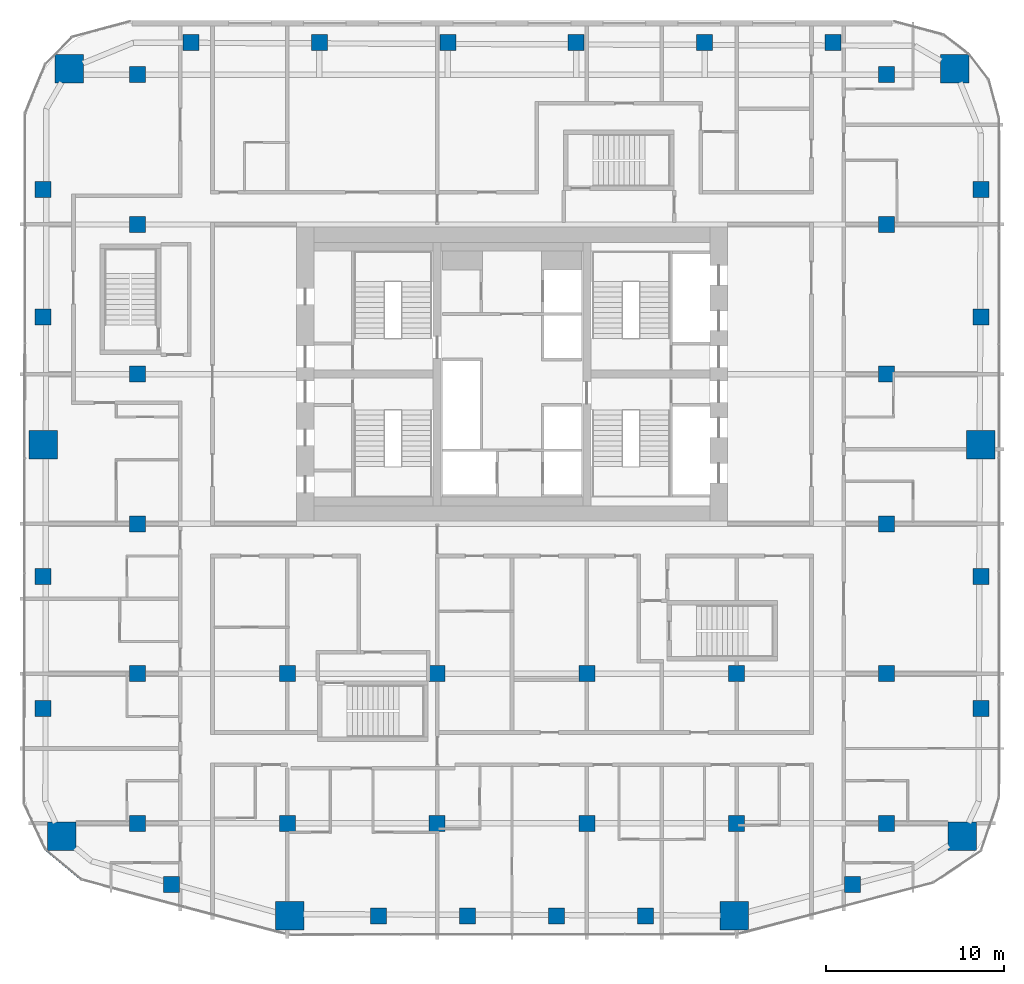
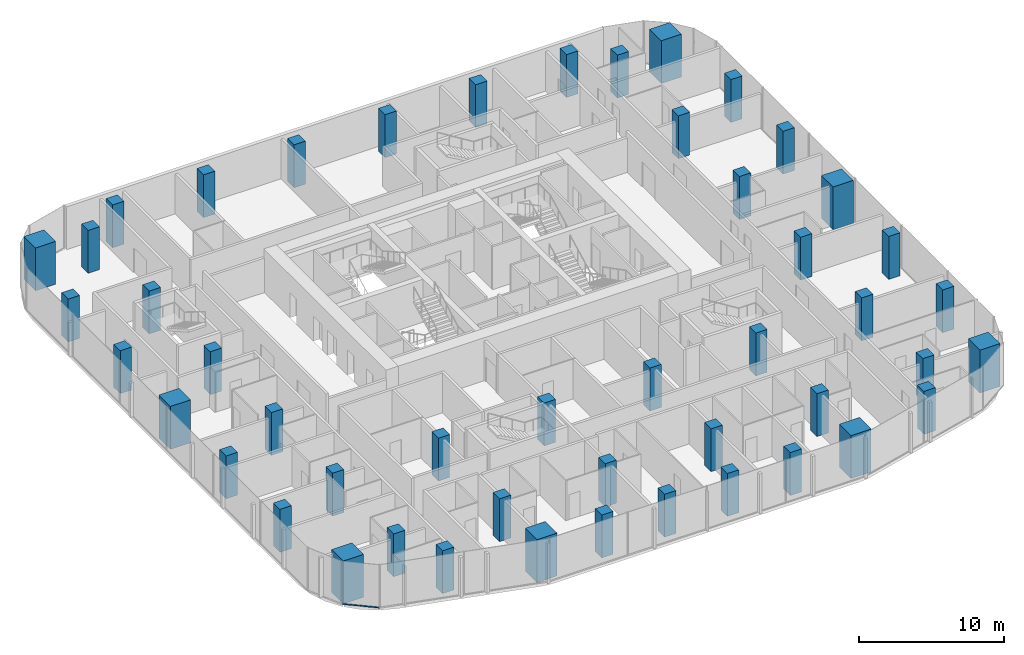
# One storey, part 1 of 23: 48 columns, 1 member, 1 element without a shape of its own.
"""IFC4 building model written with IfcOpenShell, lengths in metres."""

from ifc_helpers import new_model, si_unit, direction, frame, origin, origin_2d, place, context, subcontext, project, spatial, rectangle, extrude, material, layer, layer_set, material_profile, profile_set, type_object, element, aggregate, save


model = new_model("IFC4")

# Units and contexts
model_context = context("Model", 3, precision=1e-05, world=origin(), true_north=direction((0.0, 1.0)))
body_context = subcontext(model_context, "Body", "Model", "MODEL_VIEW")
ifc_project = project(units=[si_unit("LENGTHUNIT", "METRE"), si_unit("AREAUNIT", "SQUARE_METRE"), si_unit("VOLUMEUNIT", "CUBIC_METRE"), si_unit("PLANEANGLEUNIT", "RADIAN"), si_unit("MASSUNIT", "GRAM", prefix="KILO")], contexts=[model_context])

# Site, building, storey
site_placement = place(None, origin())
site = spatial("IfcSite", under=ifc_project, at=site_placement, CompositionType="ELEMENT")
building_placement = place(site_placement, origin())
building = spatial("IfcBuilding", under=site, at=building_placement, Name="Marenta Gate Hotel Tower", CompositionType="ELEMENT")
storey_placement = place(building_placement, frame((0.0, 0.0, 155.300048828125)))
storey = spatial("IfcBuildingStorey", under=building, at=storey_placement, Name="L36", CompositionType="ELEMENT", Elevation=155.300048828125)

# Columns
ifc_material_1 = material(Name="Concrete C70", Category="concrete")
ifc_material_profile_1 = material_profile(ifc_material_1, rectangle(XDim=0.89990234375, YDim=0.89990234375, at=origin_2d()), Name="900 x 900")
ifc_profile_set_1 = profile_set([ifc_material_profile_1], Name="Concrete C70")
column_type_1 = type_object("IfcColumnType", Name="Edge column 900 x 900 C70", PredefinedType="COLUMN", material=ifc_profile_set_1)
for number, where, z_axis, x_axis, name in (
    (1, (-26.300048828125, -10.351806640625, 0.0), (0.0, 0.0, 1.0), (1.0, 0.0, 0.0), "L36-EC-SW-W-1"),
    (2, (-26.300048828125, -2.950927734375, 0.0), (0.0, 0.0, 1.0), (1.0, 0.0, 0.0), "L36-EC-SW-W-2"),
    (3, (-26.300048828125, 11.603271484375, 0.0), (0.0, 0.0, 1.0), (1.0, 0.0, 0.0), "L36-EC-W-NW-1"),
    (4, (-26.300048828125, 18.75634765625, 0.0), (0.0, 0.0, 1.0), (1.0, 0.0, 0.0), "L36-EC-W-NW-2"),
    (5, (-18.0068359375, 27.0, 0.0), (0.0, 0.0, 1.0), (1.0, 0.0, 0.0), "L36-EC-NW-NE-1"),
    (6, (-10.80419921875, 27.0, 0.0), (0.0, 0.0, 1.0), (1.0, 0.0, 0.0), "L36-EC-NW-NE-2"),
    (7, (-3.601318359375, 27.0, 0.0), (0.0, 0.0, 1.0), (1.0, 0.0, 0.0), "L36-EC-NW-NE-3"),
    (8, (3.601318359375, 27.0, 0.0), (0.0, 0.0, 1.0), (1.0, 0.0, 0.0), "L36-EC-NW-NE-4"),
    (9, (10.80419921875, 27.0, 0.0), (0.0, 0.0, 1.0), (1.0, 0.0, 0.0), "L36-EC-NW-NE-5"),
    (10, (18.0068359375, 27.0, 0.0), (0.0, 0.0, 1.0), (1.0, 0.0, 0.0), "L36-EC-NW-NE-6"),
    (11, (26.300048828125, 18.75634765625, 0.0), (0.0, 0.0, 1.0), (1.0, 0.0, 0.0), "L36-EC-NE-E-1"),
    (12, (26.300048828125, 11.603271484375, 0.0), (0.0, 0.0, 1.0), (1.0, 0.0, 0.0), "L36-EC-NE-E-2"),
    (13, (26.300048828125, -2.950927734375, 0.0), (0.0, 0.0, 1.0), (1.0, 0.0, 0.0), "L36-EC-E-SE-1"),
    (14, (26.300048828125, -10.351806640625, 0.0), (0.0, 0.0, 1.0), (1.0, 0.0, 0.0), "L36-EC-E-SE-2"),
    (15, (19.106689453125, -20.239013671875, 0.0), (0.0, 0.0, 1.0), (1.0, 0.0, 0.0), "L36-EC-SE-SKE-1"),
    (16, (7.47998046875, -22.0, 0.0), (0.0, 0.0, 1.0), (1.0, 0.0, 0.0), "L36-EC-SKE-SKW-1"),
    (17, (2.493408203125, -22.0, 0.0), (0.0, 0.0, 1.0), (1.0, 0.0, 0.0), "L36-EC-SKE-SKW-2"),
    (18, (-2.493408203125, -22.0, 0.0), (0.0, 0.0, 1.0), (1.0, 0.0, 0.0), "L36-EC-SKE-SKW-3"),
    (19, (-7.47998046875, -22.0, 0.0), (0.0, 0.0, 1.0), (1.0, 0.0, 0.0), "L36-EC-SKE-SKW-4"),
    (20, (-19.106689453125, -20.239013671875, 0.0), (0.0, 0.0, 1.0), (1.0, 0.0, 0.0), "L36-EC-SKW-SW-1"),
):
    element("IfcColumn", number, at=place(storey_placement, frame(where, z_axis=z_axis, x_axis=x_axis)), inside=storey, type_object=column_type_1, Name=name, PredefinedType="COLUMN", context=body_context, shape_type="SweptSolid", body=[
        extrude(rectangle(XDim=0.89990234375, YDim=0.89990234375, at=origin_2d()), origin(), (0.0, 0.0, 1.0), 3.599853515625),
    ])
ifc_material_2 = material(Name="Concrete C70", Category="concrete")
ifc_material_profile_2 = material_profile(ifc_material_2, rectangle(XDim=0.89990234375, YDim=0.89990234375, at=origin_2d()), Name="900 x 900")
ifc_profile_set_2 = profile_set([ifc_material_profile_2], Name="Concrete C70")
column_type_2 = type_object("IfcColumnType", Name="Interior column 900 x 900 C70", PredefinedType="COLUMN", material=ifc_profile_set_2)
for number, where, z_axis, x_axis, name in (
    (21, (-21.0, -16.800048828125, 0.0), (0.0, 0.0, 1.0), (1.0, 0.0, 0.0), "L36-IC-4D"),
    (22, (-21.0, -8.39990234375, 0.0), (0.0, 0.0, 1.0), (1.0, 0.0, 0.0), "L36-IC-4E"),
    (23, (-21.0, 0.0, 0.0), (0.0, 0.0, 1.0), (1.0, 0.0, 0.0), "L36-IC-4F"),
    (24, (-21.0, 8.39990234375, 0.0), (0.0, 0.0, 1.0), (1.0, 0.0, 0.0), "L36-IC-4G"),
    (25, (-21.0, 16.800048828125, 0.0), (0.0, 0.0, 1.0), (1.0, 0.0, 0.0), "L36-IC-4H"),
    (26, (-21.0, 25.199951171875, 0.0), (0.0, 0.0, 1.0), (1.0, 0.0, 0.0), "L36-IC-4I"),
    (27, (-12.60009765625, -16.800048828125, 0.0), (0.0, 0.0, 1.0), (1.0, 0.0, 0.0), "L36-IC-5D"),
    (28, (-12.60009765625, -8.39990234375, 0.0), (0.0, 0.0, 1.0), (1.0, 0.0, 0.0), "L36-IC-5E"),
    (29, (-4.199951171875, -16.800048828125, 0.0), (0.0, 0.0, 1.0), (1.0, 0.0, 0.0), "L36-IC-6D"),
    (30, (-4.199951171875, -8.39990234375, 0.0), (0.0, 0.0, 1.0), (1.0, 0.0, 0.0), "L36-IC-6E"),
    (31, (4.199951171875, -16.800048828125, 0.0), (0.0, 0.0, 1.0), (1.0, 0.0, 0.0), "L36-IC-7D"),
    (32, (4.199951171875, -8.39990234375, 0.0), (0.0, 0.0, 1.0), (1.0, 0.0, 0.0), "L36-IC-7E"),
    (33, (12.60009765625, -16.800048828125, 0.0), (0.0, 0.0, 1.0), (1.0, 0.0, 0.0), "L36-IC-8D"),
    (34, (12.60009765625, -8.39990234375, 0.0), (0.0, 0.0, 1.0), (1.0, 0.0, 0.0), "L36-IC-8E"),
    (35, (21.0, -16.800048828125, 0.0), (0.0, 0.0, 1.0), (1.0, 0.0, 0.0), "L36-IC-9D"),
    (36, (21.0, -8.39990234375, 0.0), (0.0, 0.0, 1.0), (1.0, 0.0, 0.0), "L36-IC-9E"),
    (37, (21.0, 0.0, 0.0), (0.0, 0.0, 1.0), (1.0, 0.0, 0.0), "L36-IC-9F"),
    (38, (21.0, 8.39990234375, 0.0), (0.0, 0.0, 1.0), (1.0, 0.0, 0.0), "L36-IC-9G"),
    (39, (21.0, 16.800048828125, 0.0), (0.0, 0.0, 1.0), (1.0, 0.0, 0.0), "L36-IC-9H"),
    (40, (21.0, 25.199951171875, 0.0), (0.0, 0.0, 1.0), (1.0, 0.0, 0.0), "L36-IC-9I"),
):
    element("IfcColumn", number, at=place(storey_placement, frame(where, z_axis=z_axis, x_axis=x_axis)), inside=storey, type_object=column_type_2, Name=name, PredefinedType="COLUMN", context=body_context, shape_type="SweptSolid", body=[
        extrude(rectangle(XDim=0.89990234375, YDim=0.89990234375, at=origin_2d()), origin(), (0.0, 0.0, 1.0), 3.599853515625),
    ])
ifc_material_3 = material(Name="Concrete C70", Category="concrete")
ifc_material_profile_3 = material_profile(ifc_material_3, rectangle(XDim=1.60009765625, YDim=1.60009765625, at=origin_2d()), Name="1600 x 1600")
ifc_profile_set_3 = profile_set([ifc_material_profile_3], Name="Concrete C70")
column_type_3 = type_object("IfcColumnType", Name="Mega column 1600 x 1600 C70", PredefinedType="COLUMN", material=ifc_profile_set_3)
for number, where, z_axis, x_axis, name in (
    (41, (-25.262939453125, -17.532958984375, 0.0), (0.0, 0.0, 1.0), (1.0, 0.0, 0.0), "L36-MC-SW"),
    (42, (-12.46630859375, -21.974853515625, 0.0), (0.0, 0.0, 1.0), (1.0, 0.0, 0.0), "L36-MC-SKW"),
    (43, (12.46630859375, -21.974853515625, 0.0), (0.0, 0.0, 1.0), (1.0, 0.0, 0.0), "L36-MC-SKE"),
    (44, (25.262939453125, -17.532958984375, 0.0), (0.0, 0.0, 1.0), (1.0, 0.0, 0.0), "L36-MC-SE"),
    (45, (26.300048828125, 4.449951171875, 0.0), (0.0, 0.0, 1.0), (1.0, 0.0, 0.0), "L36-MC-E"),
    (46, (24.83544921875, 25.535400390625, 0.0), (0.0, 0.0, 1.0), (1.0, 0.0, 0.0), "L36-MC-NE"),
    (47, (-24.83544921875, 25.535400390625, 0.0), (0.0, 0.0, 1.0), (1.0, 0.0, 0.0), "L36-MC-NW"),
    (48, (-26.300048828125, 4.449951171875, 0.0), (0.0, 0.0, 1.0), (1.0, 0.0, 0.0), "L36-MC-W"),
):
    element("IfcColumn", number, at=place(storey_placement, frame(where, z_axis=z_axis, x_axis=x_axis)), inside=storey, type_object=column_type_3, Name=name, PredefinedType="COLUMN", context=body_context, shape_type="SweptSolid", body=[
        extrude(rectangle(XDim=1.60009765625, YDim=1.60009765625, at=origin_2d()), origin(), (0.0, 0.0, 1.0), 3.599853515625),
    ])

# Curtain wall, member
ifc_material_4 = material(Name="Tinted insulated glass in bronze anodised frame", Category="glass")
ifc_layer = layer(ifc_material_4, 0.1201171875)
ifc_layer_set = layer_set([ifc_layer], Name="Tinted insulated glass in bronze anodised frame")
curtain_wall_type = type_object("IfcCurtainWallType", Name="Tower unitised curtain wall CW1", PredefinedType="NOTDEFINED", material=ifc_layer_set)
curtain_wall_placement = place(storey_placement, origin())
curtain_wall = element("IfcCurtainWall", 49, at=curtain_wall_placement, inside=storey, type_object=curtain_wall_type, Name="CW1 run G05", PredefinedType="NOTDEFINED")
ifc_material_5 = material(Name="Bronze anodised aluminium", Category="aluminium")
ifc_material_profile_4 = material_profile(ifc_material_5, rectangle(XDim=0.1201171875, YDim=0.06005859375, at=origin_2d()), Name="Transom CW1 60x120 bronze anodised aluminium")
ifc_profile_set_4 = profile_set([ifc_material_profile_4], Name="Bronze anodised aluminium")
member_type = type_object("IfcMemberType", Name="Transom CW1 60x120 bronze anodised aluminium", PredefinedType="USERDEFINED", material=ifc_profile_set_4)
member_placement = place(storey_placement, frame((-26.12890625, -18.296142578125, 0.030029296875), z_axis=(0.767116735682, -0.641507532175, 0.0), x_axis=(0.641507532175, 0.767116735682, 0.0)))
member = element("IfcMember", 50, at=member_placement, type_object=member_type, Name="CW1 transom 1.1", ObjectType="TRANSOM", PredefinedType="USERDEFINED", context=body_context, shape_type="SweptSolid", body=[
    extrude(rectangle(XDim=0.1201171875, YDim=0.06005859375, at=origin_2d()), origin(), (0.0, 0.0, 1.0), 2.575439453125),
])
aggregate(curtain_wall, [member])

save(model, "model.ifc")
